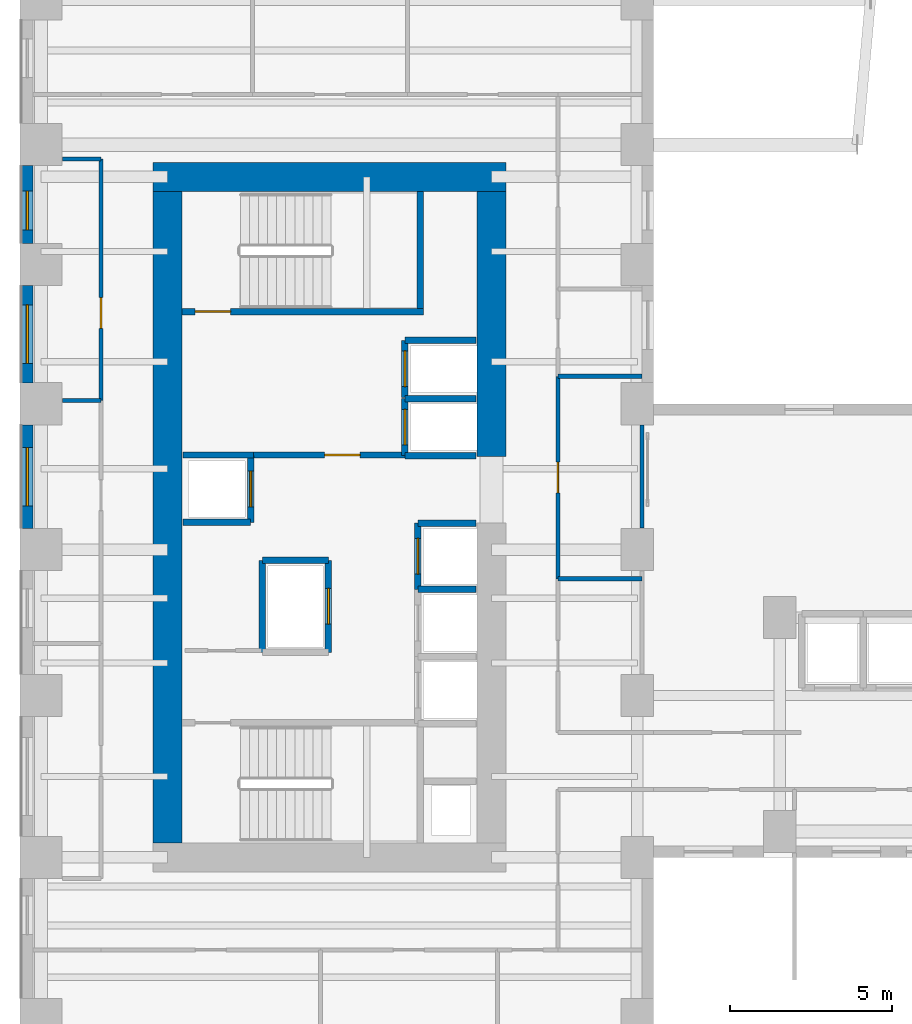
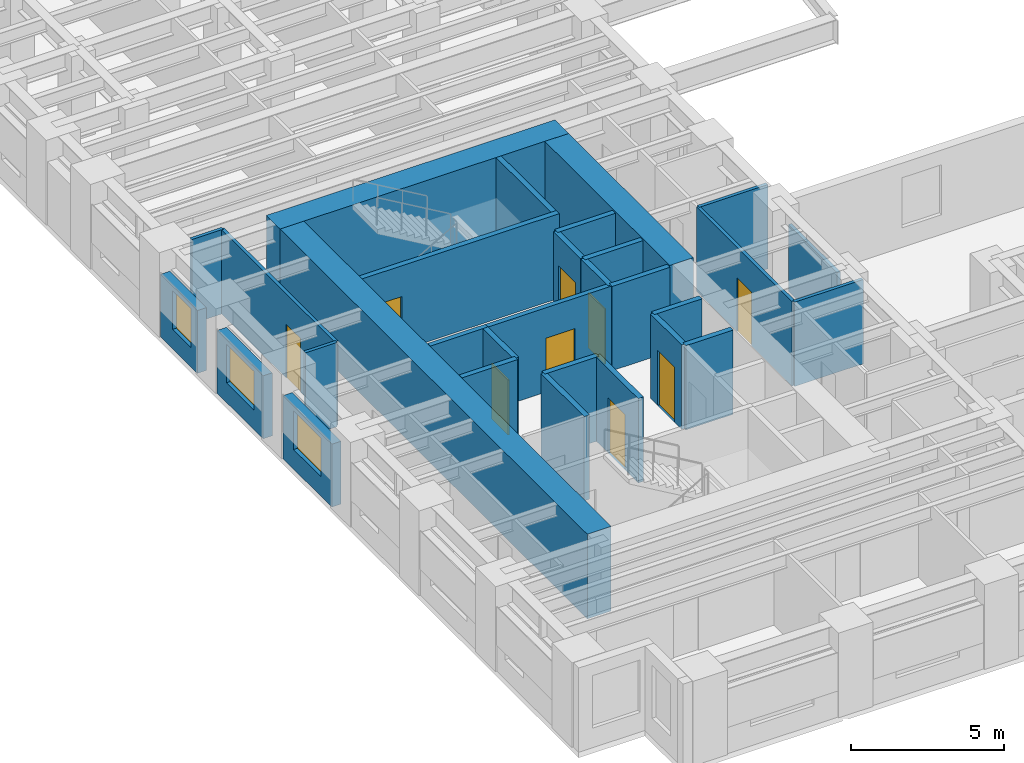
# One storey, part 8 of 14: 30 walls, 9 doors, 3 windows, 12 openings.
"""IFC4 building model written with IfcOpenShell, lengths in metres."""

from ifc_helpers import new_model, si_unit, direction, frame, frame_2d, origin, place, context, subcontext, project, spatial, rectangle, extrude, source, transform, mapped, material, layer, layer_set, type_object, element, fill, save


model = new_model("IFC4")

# Units and contexts
model_context = context("Model", 3, precision=1e-05, world=origin(), true_north=direction((0.0, 1.0)))
body_context = subcontext(model_context, "Body", "Model", "MODEL_VIEW")
ifc_project = project(units=[si_unit("LENGTHUNIT", "METRE"), si_unit("AREAUNIT", "SQUARE_METRE"), si_unit("VOLUMEUNIT", "CUBIC_METRE"), si_unit("PLANEANGLEUNIT", "RADIAN"), si_unit("MASSUNIT", "GRAM", prefix="KILO")], contexts=[model_context])

# Site, building, storey
site_placement = place(None, origin())
site = spatial("IfcSite", under=ifc_project, at=site_placement, CompositionType="ELEMENT")
building_placement = place(site_placement, origin())
building = spatial("IfcBuilding", under=site, at=building_placement, Name="Kharzan Plaza Tower", CompositionType="ELEMENT")
storey_placement = place(building_placement, frame((0.0, 0.0, 36.89990234375)))
storey = spatial("IfcBuildingStorey", under=building, at=storey_placement, Name="L09", CompositionType="ELEMENT", Elevation=36.89990234375)

# Wall, opening, window
ifc_material_1 = material(Name="Concrete C40/50", Category="concrete")
ifc_layer_1 = layer(ifc_material_1, 0.35009765625)
ifc_layer_set_1 = layer_set([ifc_layer_1], Name="Concrete C40/50")
wall_type_1 = type_object("IfcWallType", Name="WL-EXT-MAS-Z1", PredefinedType="SOLIDWALL", material=ifc_layer_set_1)
wall_1_placement = place(storey_placement, frame((0.175048828125, 29.85205078125, 0.0), z_axis=(0.0, 0.0, 1.0), x_axis=(0.0, -1.0, 0.0)))
wall_1 = element("IfcWall", 1, at=wall_1_placement, inside=storey, type_object=wall_type_1, Name="L09 Masonry-Frame Exterior Wall 14", PredefinedType="SOLIDWALL", context=body_context, shape_type="SweptSolid", body=[
    extrude(rectangle(XDim=2.404052734375, YDim=0.35009765625, at=frame_2d((1.2021484375, 0.0))), origin(), (0.0, 0.0, 1.0), 2.510009765625),
])
opening_1_placement = place(wall_1_placement, frame((0.786865234375, 0.0, 0.780029296875)))
opening_1 = element("IfcOpeningElement", 2, at=opening_1_placement, cuts=wall_1, Name="Opening W3", PredefinedType="OPENING", context=body_context, shape_type="SweptSolid", body=[
    extrude(rectangle(XDim=1.199951171875, YDim=1.550048828125, at=frame_2d((0.60009765625, 0.77490234375))), frame((0.0, 0.18505859375, 0.0), z_axis=(0.0, -1.0, 0.0), x_axis=(1.0, 0.0, 0.0)), (0.0, 0.0, 1.0), 0.3701171875),
])
ifc_material_2 = material(Name="Low-E Double Glazing", Category="glass")
window_type_1 = type_object("IfcWindowType", Name="WN-REC-1200x2100", PartitioningType="SINGLE_PANEL", PredefinedType="WINDOW", material=ifc_material_2)
shared_shape_1 = source(origin(), body_context, "Body", "SweptSolid", [
    extrude(rectangle(XDim=1.199951171875, YDim=1.550048828125, at=frame_2d((0.60009765625, 0.77490234375))), frame((0.0, 0.030029296875, 0.0), z_axis=(0.0, -1.0, 0.0), x_axis=(1.0, 0.0, 0.0)), (0.0, 0.0, 1.0), 0.06005859375),
])
window_1_placement = place(opening_1_placement, origin())
window_1 = element("IfcWindow", 3, at=window_1_placement, inside=storey, type_object=window_type_1, Name="L09 Recessed Solar-Control Window 14-1", OverallHeight=1.550048828125, OverallWidth=1.199951171875, PartitioningType="SINGLE_PANEL", PredefinedType="WINDOW", context=body_context, shape_type="MappedRepresentation", body=[
    mapped(shared_shape_1, transform((0.0, 0.0, 0.0), x_axis=(1.0, 0.0, 0.0), y_axis=(0.0, 1.0, 0.0), z_axis=(0.0, 0.0, 1.0))),
])
fill(opening_1, window_1)

wall_2_placement = place(storey_placement, frame((0.175048828125, 26.152099609375, 0.0), z_axis=(0.0, 0.0, 1.0), x_axis=(0.0, -1.0, 0.0)))
wall_2 = element("IfcWall", 4, at=wall_2_placement, inside=storey, type_object=wall_type_1, Name="L09 Masonry-Frame Exterior Wall 15", PredefinedType="SOLIDWALL", context=body_context, shape_type="SweptSolid", body=[
    extrude(rectangle(XDim=3.004150390625, YDim=0.35009765625, at=frame_2d((1.501953125, 0.0))), origin(), (0.0, 0.0, 1.0), 2.510009765625),
])
opening_2_placement = place(wall_2_placement, frame((0.60205078125, 0.0, 0.780029296875)))
opening_2 = element("IfcOpeningElement", 5, at=opening_2_placement, cuts=wall_2, Name="Opening W1", PredefinedType="OPENING", context=body_context, shape_type="SweptSolid", body=[
    extrude(rectangle(XDim=1.800048828125, YDim=1.550048828125, at=frame_2d((0.89990234375, 0.77490234375))), frame((0.0, 0.18505859375, 0.0), z_axis=(0.0, -1.0, 0.0), x_axis=(1.0, 0.0, 0.0)), (0.0, 0.0, 1.0), 0.3701171875),
])
window_type_2 = type_object("IfcWindowType", Name="WN-REC-1800x2100", PartitioningType="SINGLE_PANEL", PredefinedType="WINDOW", material=ifc_material_2)
shared_shape_2 = source(origin(), body_context, "Body", "SweptSolid", [
    extrude(rectangle(XDim=1.800048828125, YDim=1.550048828125, at=frame_2d((0.89990234375, 0.77490234375))), frame((0.0, 0.030029296875, 0.0), z_axis=(0.0, -1.0, 0.0), x_axis=(1.0, 0.0, 0.0)), (0.0, 0.0, 1.0), 0.06005859375),
])
window_2_placement = place(opening_2_placement, origin())
window_2 = element("IfcWindow", 6, at=window_2_placement, inside=storey, type_object=window_type_2, Name="L09 Recessed Solar-Control Window 15-1", OverallHeight=1.550048828125, OverallWidth=1.800048828125, PartitioningType="SINGLE_PANEL", PredefinedType="WINDOW", context=body_context, shape_type="MappedRepresentation", body=[
    mapped(shared_shape_2, transform((0.0, 0.0, 0.0), x_axis=(1.0, 0.0, 0.0), y_axis=(0.0, 1.0, 0.0), z_axis=(0.0, 0.0, 1.0))),
])
fill(opening_2, window_2)

wall_3_placement = place(storey_placement, frame((0.175048828125, 21.85205078125, 0.0), z_axis=(0.0, 0.0, 1.0), x_axis=(0.0, -1.0, 0.0)))
wall_3 = element("IfcWall", 7, at=wall_3_placement, inside=storey, type_object=wall_type_1, Name="L09 Masonry-Frame Exterior Wall 16", PredefinedType="SOLIDWALL", context=body_context, shape_type="SweptSolid", body=[
    extrude(rectangle(XDim=3.2041015625, YDim=0.35009765625, at=frame_2d((1.60205078125, 0.0))), origin(), (0.0, 0.0, 1.0), 2.510009765625),
])
opening_3_placement = place(wall_3_placement, frame((0.701904296875, 0.0, 0.780029296875)))
opening_3 = element("IfcOpeningElement", 8, at=opening_3_placement, cuts=wall_3, Name="Opening W1", PredefinedType="OPENING", context=body_context, shape_type="SweptSolid", body=[
    extrude(rectangle(XDim=1.800048828125, YDim=1.550048828125, at=frame_2d((0.89990234375, 0.77490234375))), frame((0.0, 0.18505859375, 0.0), z_axis=(0.0, -1.0, 0.0), x_axis=(1.0, 0.0, 0.0)), (0.0, 0.0, 1.0), 0.3701171875),
])
window_3_placement = place(opening_3_placement, origin())
window_3 = element("IfcWindow", 9, at=window_3_placement, inside=storey, type_object=window_type_2, Name="L09 Recessed Solar-Control Window 16-1", OverallHeight=1.550048828125, OverallWidth=1.800048828125, PartitioningType="SINGLE_PANEL", PredefinedType="WINDOW", context=body_context, shape_type="MappedRepresentation", body=[
    mapped(shared_shape_2, transform((0.0, 0.0, 0.0), x_axis=(1.0, 0.0, 0.0), y_axis=(0.0, 1.0, 0.0), z_axis=(0.0, 0.0, 1.0))),
])
fill(opening_3, window_3)

# Wall, opening, door
ifc_layer_2 = layer(ifc_material_1, 0.179931640625)
ifc_layer_set_2 = layer_set([ifc_layer_2], Name="Concrete C40/50")
wall_type_2 = type_object("IfcWallType", Name="WL-INT-FIRE-180", PredefinedType="PARTITIONING", material=ifc_layer_set_2)
wall_4_placement = place(storey_placement, frame((7.14990234375, 20.919921875, 0.0), z_axis=(0.0, 0.0, 1.0), x_axis=(1.0, 0.0, 0.0)))
wall_4 = element("IfcWall", 10, at=wall_4_placement, inside=storey, type_object=wall_type_2, Name="L09 Interior Partition CA-FF-S", PredefinedType="PARTITIONING", context=body_context, shape_type="SweptSolid", body=[
    extrude(rectangle(XDim=4.68017578125, YDim=0.179931640625, at=frame_2d((2.340087890625, 0.0))), origin(), (0.0, 0.0, 1.0), 3.364990234375),
])
opening_4_placement = place(wall_4_placement, frame((2.199951171875, 0.0, 0.0)))
opening_4 = element("IfcOpeningElement", 11, at=opening_4_placement, cuts=wall_4, Name="Opening FD1", PredefinedType="OPENING", context=body_context, shape_type="SweptSolid", body=[
    extrude(rectangle(XDim=1.10009765625, YDim=2.14990234375, at=frame_2d((0.550048828125, 1.074951171875))), frame((0.0, 0.099853515625, 0.0), z_axis=(0.0, -1.0, 0.0), x_axis=(1.0, 0.0, 0.0)), (0.0, 0.0, 1.0), 0.199951171875),
])
ifc_material_3 = material(Name="Fire-Rated Acoustic Vision-Panel Steel", Category="steel")
door_type_1 = type_object("IfcDoorType", Name="DR-FIRE-LOBBY", OperationType="NOTDEFINED", PredefinedType="DOOR", material=ifc_material_3)
shared_shape_3 = source(origin(), body_context, "Body", "SweptSolid", [
    extrude(rectangle(XDim=1.10009765625, YDim=2.14990234375, at=frame_2d((0.550048828125, 1.074951171875))), frame((0.0, 0.02490234375, 0.0), z_axis=(0.0, -1.0, 0.0), x_axis=(1.0, 0.0, 0.0)), (0.0, 0.0, 1.0), 0.050048828125),
])
door_1_placement = place(opening_4_placement, origin())
door_1 = element("IfcDoor", 12, at=door_1_placement, inside=storey, type_object=door_type_1, Name="L09 Firefighting Lobby Door", OperationType="SINGLE_SWING_RIGHT", OverallHeight=2.14990234375, OverallWidth=1.10009765625, PredefinedType="DOOR", context=body_context, shape_type="MappedRepresentation", body=[
    mapped(shared_shape_3, transform((0.0, 0.0, 0.0), x_axis=(1.0, 0.0, 0.0), y_axis=(0.0, 1.0, 0.0), z_axis=(0.0, 0.0, 1.0))),
])
fill(opening_4, door_1)

ifc_material_4 = material(Name="Fire-Rated Gypsum Board Partition", Category="gypsum")
ifc_layer_3 = layer(ifc_material_4, 0.125)
ifc_layer_set_3 = layer_set([ifc_layer_3], Name="Fire-Rated Gypsum Board Partition")
wall_type_3 = type_object("IfcWallType", Name="WL-INT-PART-125", PredefinedType="PARTITIONING", material=ifc_layer_set_3)
wall_5_placement = place(storey_placement, frame((16.550048828125, 17.10009765625, 0.0), z_axis=(0.0, 0.0, 1.0), x_axis=(0.0, 1.0, 0.0)))
wall_5 = element("IfcWall", 13, at=wall_5_placement, inside=storey, type_object=wall_type_3, Name="L09 Interior Partition SH-AEWN2", PredefinedType="PARTITIONING", context=body_context, shape_type="SweptSolid", body=[
    extrude(rectangle(XDim=6.25, YDim=0.125, at=frame_2d((3.125, 0.0))), origin(), (0.0, 0.0, 1.0), 3.364990234375),
])
opening_5_placement = place(wall_5_placement, frame((2.64990234375, 0.0, 0.0)))
opening_5 = element("IfcOpeningElement", 14, at=opening_5_placement, cuts=wall_5, Name="Opening OD1", PredefinedType="OPENING", context=body_context, shape_type="SweptSolid", body=[
    extrude(rectangle(XDim=0.949951171875, YDim=2.14990234375, at=frame_2d((0.47509765625, 1.074951171875))), frame((0.0, 0.072509765625, 0.0), z_axis=(0.0, -1.0, 0.0), x_axis=(1.0, 0.0, 0.0)), (0.0, 0.0, 1.0), 0.14501953125),
])
ifc_material_5 = material(Name="Acoustic Solid-Core Stained Oak", Category="timber")
door_type_2 = type_object("IfcDoorType", Name="DR-OFF-SINGLE", OperationType="NOTDEFINED", PredefinedType="DOOR", material=ifc_material_5)
shared_shape_4 = source(origin(), body_context, "Body", "SweptSolid", [
    extrude(rectangle(XDim=0.949951171875, YDim=2.14990234375, at=frame_2d((0.47509765625, 1.074951171875))), frame((0.0, 0.02490234375, 0.0), z_axis=(0.0, -1.0, 0.0), x_axis=(1.0, 0.0, 0.0)), (0.0, 0.0, 1.0), 0.050048828125),
])
door_2_placement = place(opening_5_placement, origin())
door_2 = element("IfcDoor", 15, at=door_2_placement, inside=storey, type_object=door_type_2, Name="L09 Slot Studio Door", OperationType="SINGLE_SWING_RIGHT", OverallHeight=2.14990234375, OverallWidth=0.949951171875, PredefinedType="DOOR", context=body_context, shape_type="MappedRepresentation", body=[
    mapped(shared_shape_4, transform((0.0, 0.0, 0.0), x_axis=(1.0, 0.0, 0.0), y_axis=(0.0, 1.0, 0.0), z_axis=(0.0, 0.0, 1.0))),
])
fill(opening_5, door_2)

wall_6_placement = place(storey_placement, frame((2.449951171875, 22.60009765625, 0.0), z_axis=(0.0, 0.0, 1.0), x_axis=(0.0, 1.0, 0.0)))
wall_6 = element("IfcWall", 16, at=wall_6_placement, inside=storey, type_object=wall_type_3, Name="L09 Interior Partition SH-WW-3", PredefinedType="PARTITIONING", context=body_context, shape_type="SweptSolid", body=[
    extrude(rectangle(XDim=7.449951171875, YDim=0.125, at=frame_2d((3.72509765625, 0.0))), origin(), (0.0, 0.0, 1.0), 3.364990234375),
])
opening_6_placement = place(wall_6_placement, frame((2.226806640625, 0.0, 0.0)))
opening_6 = element("IfcOpeningElement", 17, at=opening_6_placement, cuts=wall_6, Name="Opening OD1", PredefinedType="OPENING", context=body_context, shape_type="SweptSolid", body=[
    extrude(rectangle(XDim=0.949951171875, YDim=2.14990234375, at=frame_2d((0.47509765625, 1.074951171875))), frame((0.0, 0.072509765625, 0.0), z_axis=(0.0, -1.0, 0.0), x_axis=(1.0, 0.0, 0.0)), (0.0, 0.0, 1.0), 0.14501953125),
])
door_3_placement = place(opening_6_placement, origin())
door_3 = element("IfcDoor", 18, at=door_3_placement, inside=storey, type_object=door_type_2, Name="L09 Research Engineering Office Door", OperationType="SINGLE_SWING_LEFT", OverallHeight=2.14990234375, OverallWidth=0.949951171875, PredefinedType="DOOR", context=body_context, shape_type="MappedRepresentation", body=[
    mapped(shared_shape_4, transform((0.0, 0.0, 0.0), x_axis=(1.0, 0.0, 0.0), y_axis=(0.0, 1.0, 0.0), z_axis=(0.0, 0.0, 1.0))),
])
fill(opening_6, door_3)

ifc_layer_4 = layer(ifc_material_1, 0.199951171875)
ifc_layer_set_4 = layer_set([ifc_layer_4], Name="Concrete C40/50")
wall_type_4 = type_object("IfcWallType", Name="WL-INT-SHAFT-200", PredefinedType="PARTITIONING", material=ifc_layer_set_4)
wall_7_placement = place(storey_placement, frame((11.830078125, 20.89990234375, 0.0), z_axis=(0.0, 0.0, 1.0), x_axis=(0.0, 1.0, 0.0)))
wall_7 = element("IfcWall", 19, at=wall_7_placement, inside=storey, type_object=wall_type_4, Name="L09 Interior Partition SHF-FFL-1-W", PredefinedType="PARTITIONING", context=body_context, shape_type="SweptSolid", body=[
    extrude(rectangle(XDim=1.760009765625, YDim=0.199951171875, at=frame_2d((0.8798828125, 0.0))), origin(), (0.0, 0.0, 1.0), 3.364990234375),
])
opening_7_placement = place(wall_7_placement, frame((0.330078125, 0.0, 0.0)))
opening_7 = element("IfcOpeningElement", 20, at=opening_7_placement, cuts=wall_7, Name="Opening LD", PredefinedType="OPENING", context=body_context, shape_type="SweptSolid", body=[
    extrude(rectangle(XDim=1.10009765625, YDim=2.199951171875, at=frame_2d((0.550048828125, 1.10009765625))), frame((0.0, 0.10986328125, 0.0), z_axis=(0.0, -1.0, 0.0), x_axis=(1.0, 0.0, 0.0)), (0.0, 0.0, 1.0), 0.219970703125),
])
ifc_material_6 = material(Name="Brushed Stainless Steel", Category="steel")
door_type_3 = type_object("IfcDoorType", Name="DR-LIFT-SLIDE", OperationType="SLIDING_TO_LEFT", PredefinedType="DOOR", material=ifc_material_6)
shared_shape_5 = source(origin(), body_context, "Body", "SweptSolid", [
    extrude(rectangle(XDim=1.10009765625, YDim=2.199951171875, at=frame_2d((0.550048828125, 1.10009765625))), frame((0.0, 0.02490234375, 0.0), z_axis=(0.0, -1.0, 0.0), x_axis=(1.0, 0.0, 0.0)), (0.0, 0.0, 1.0), 0.050048828125),
])
door_4_placement = place(opening_7_placement, origin())
door_4 = element("IfcDoor", 21, at=door_4_placement, inside=storey, type_object=door_type_3, Name="L09 Firefighting Lift FFL-1 Sliding Landing Door", OperationType="SLIDING_TO_LEFT", OverallHeight=2.199951171875, OverallWidth=1.10009765625, PredefinedType="DOOR", context=body_context, shape_type="MappedRepresentation", body=[
    mapped(shared_shape_5, transform((0.0, 0.0, 0.0), x_axis=(1.0, 0.0, 0.0), y_axis=(0.0, 1.0, 0.0), z_axis=(0.0, 0.0, 1.0))),
])
fill(opening_7, door_4)

wall_8_placement = place(storey_placement, frame((11.830078125, 22.699951171875, 0.0), z_axis=(0.0, 0.0, 1.0), x_axis=(0.0, 1.0, 0.0)))
wall_8 = element("IfcWall", 22, at=wall_8_placement, inside=storey, type_object=wall_type_4, Name="L09 Interior Partition SHF-FFL-2-W", PredefinedType="PARTITIONING", context=body_context, shape_type="SweptSolid", body=[
    extrude(rectangle(XDim=1.760009765625, YDim=0.199951171875, at=frame_2d((0.8798828125, 0.0))), origin(), (0.0, 0.0, 1.0), 3.364990234375),
])
opening_8_placement = place(wall_8_placement, frame((0.330078125, 0.0, 0.0)))
opening_8 = element("IfcOpeningElement", 23, at=opening_8_placement, cuts=wall_8, Name="Opening LD", PredefinedType="OPENING", context=body_context, shape_type="SweptSolid", body=[
    extrude(rectangle(XDim=1.10009765625, YDim=2.199951171875, at=frame_2d((0.550048828125, 1.10009765625))), frame((0.0, 0.10986328125, 0.0), z_axis=(0.0, -1.0, 0.0), x_axis=(1.0, 0.0, 0.0)), (0.0, 0.0, 1.0), 0.219970703125),
])
door_5_placement = place(opening_8_placement, origin())
door_5 = element("IfcDoor", 24, at=door_5_placement, inside=storey, type_object=door_type_3, Name="L09 Firefighting Lift FFL-2 Sliding Landing Door", OperationType="SLIDING_TO_LEFT", OverallHeight=2.199951171875, OverallWidth=1.10009765625, PredefinedType="DOOR", context=body_context, shape_type="MappedRepresentation", body=[
    mapped(shared_shape_5, transform((0.0, 0.0, 0.0), x_axis=(1.0, 0.0, 0.0), y_axis=(0.0, 1.0, 0.0), z_axis=(0.0, 0.0, 1.0))),
])
fill(opening_8, door_5)

wall_9_placement = place(storey_placement, frame((12.22998046875, 16.77001953125, 0.0), z_axis=(0.0, 0.0, 1.0), x_axis=(0.0, 1.0, 0.0)))
wall_9 = element("IfcWall", 25, at=wall_9_placement, inside=storey, type_object=wall_type_4, Name="L09 Interior Partition SHF-PL-H3-W", PredefinedType="PARTITIONING", context=body_context, shape_type="SweptSolid", body=[
    extrude(rectangle(XDim=2.050048828125, YDim=0.199951171875, at=frame_2d((1.02490234375, 0.0))), origin(), (0.0, 0.0, 1.0), 3.364990234375),
])
opening_9_placement = place(wall_9_placement, frame((0.47509765625, 0.0, 0.0)))
opening_9 = element("IfcOpeningElement", 26, at=opening_9_placement, cuts=wall_9, Name="Opening LD", PredefinedType="OPENING", context=body_context, shape_type="SweptSolid", body=[
    extrude(rectangle(XDim=1.10009765625, YDim=2.199951171875, at=frame_2d((0.550048828125, 1.10009765625))), frame((0.0, 0.10986328125, 0.0), z_axis=(0.0, -1.0, 0.0), x_axis=(1.0, 0.0, 0.0)), (0.0, 0.0, 1.0), 0.219970703125),
])
door_6_placement = place(opening_9_placement, origin())
door_6 = element("IfcDoor", 27, at=door_6_placement, inside=storey, type_object=door_type_3, Name="L09 High-Rise Passenger Lift PL-H3 Sliding Landing Door", OperationType="SLIDING_TO_LEFT", OverallHeight=2.199951171875, OverallWidth=1.10009765625, PredefinedType="DOOR", context=body_context, shape_type="MappedRepresentation", body=[
    mapped(shared_shape_5, transform((0.0, 0.0, 0.0), x_axis=(1.0, 0.0, 0.0), y_axis=(0.0, 1.0, 0.0), z_axis=(0.0, 0.0, 1.0))),
])
fill(opening_9, door_6)

wall_10_placement = place(storey_placement, frame((7.070068359375, 18.840087890625, 0.0), z_axis=(0.0, 0.0, 1.0), x_axis=(0.0, 1.0, 0.0)))
wall_10 = element("IfcWall", 28, at=wall_10_placement, inside=storey, type_object=wall_type_4, Name="L09 Interior Partition SHF-PL-H4-E", PredefinedType="PARTITIONING", context=body_context, shape_type="SweptSolid", body=[
    extrude(rectangle(XDim=2.059814453125, YDim=0.199951171875, at=frame_2d((1.02978515625, 0.0))), origin(), (0.0, 0.0, 1.0), 3.364990234375),
])
opening_10_placement = place(wall_10_placement, frame((0.47998046875, 0.0, 0.0)))
opening_10 = element("IfcOpeningElement", 29, at=opening_10_placement, cuts=wall_10, Name="Opening LD", PredefinedType="OPENING", context=body_context, shape_type="SweptSolid", body=[
    extrude(rectangle(XDim=1.10009765625, YDim=2.199951171875, at=frame_2d((0.550048828125, 1.10009765625))), frame((0.0, 0.10986328125, 0.0), z_axis=(0.0, -1.0, 0.0), x_axis=(1.0, 0.0, 0.0)), (0.0, 0.0, 1.0), 0.219970703125),
])
door_7_placement = place(opening_10_placement, origin())
door_7 = element("IfcDoor", 30, at=door_7_placement, inside=storey, type_object=door_type_3, Name="L09 High-Rise Passenger Lift PL-H4 Sliding Landing Door", OperationType="SLIDING_TO_LEFT", OverallHeight=2.199951171875, OverallWidth=1.10009765625, PredefinedType="DOOR", context=body_context, shape_type="MappedRepresentation", body=[
    mapped(shared_shape_5, transform((0.0, 0.0, 0.0), x_axis=(1.0, 0.0, 0.0), y_axis=(0.0, 1.0, 0.0), z_axis=(0.0, 0.0, 1.0))),
])
fill(opening_10, door_7)

wall_11_placement = place(storey_placement, frame((9.469970703125, 14.830078125, 0.0), z_axis=(0.0, 0.0, 1.0), x_axis=(0.0, 1.0, 0.0)))
wall_11 = element("IfcWall", 31, at=wall_11_placement, inside=storey, type_object=wall_type_4, Name="L09 Interior Partition SHF-SVL-1-E", PredefinedType="PARTITIONING", context=body_context, shape_type="SweptSolid", body=[
    extrude(rectangle(XDim=2.83984375, YDim=0.199951171875, at=frame_2d((1.419921875, 0.0))), origin(), (0.0, 0.0, 1.0), 3.364990234375),
])
opening_11_placement = place(wall_11_placement, frame((0.8701171875, 0.0, 0.0)))
opening_11 = element("IfcOpeningElement", 32, at=opening_11_placement, cuts=wall_11, Name="Opening LD", PredefinedType="OPENING", context=body_context, shape_type="SweptSolid", body=[
    extrude(rectangle(XDim=1.10009765625, YDim=2.199951171875, at=frame_2d((0.550048828125, 1.10009765625))), frame((0.0, 0.10986328125, 0.0), z_axis=(0.0, -1.0, 0.0), x_axis=(1.0, 0.0, 0.0)), (0.0, 0.0, 1.0), 0.219970703125),
])
door_8_placement = place(opening_11_placement, origin())
door_8 = element("IfcDoor", 33, at=door_8_placement, inside=storey, type_object=door_type_3, Name="L09 Service Lift SVL-1 Sliding Landing Door", OperationType="SLIDING_TO_LEFT", OverallHeight=2.199951171875, OverallWidth=1.10009765625, PredefinedType="DOOR", context=body_context, shape_type="MappedRepresentation", body=[
    mapped(shared_shape_5, transform((0.0, 0.0, 0.0), x_axis=(1.0, 0.0, 0.0), y_axis=(0.0, 1.0, 0.0), z_axis=(0.0, 0.0, 1.0))),
])
fill(opening_11, door_8)

ifc_material_7 = material(Name="Concrete C50/60", Category="concrete")
ifc_layer_5 = layer(ifc_material_7, 0.199951171875)
ifc_layer_set_5 = layer_set([ifc_layer_5], Name="Concrete C50/60")
wall_type_5 = type_object("IfcWallType", Name="WL-SHAFT-RC200", PredefinedType="SHEAR", material=ifc_layer_set_5)
wall_12_placement = place(storey_placement, frame((4.951904296875, 25.344970703125, 0.0), z_axis=(0.0, 0.0, 1.0), x_axis=(1.0, 0.0, 0.0)))
wall_12 = element("IfcWall", 34, at=wall_12_placement, inside=storey, type_object=wall_type_5, Name="L09 Stair ST-2 South RC Shaft Wall", PredefinedType="SHEAR", context=body_context, shape_type="SweptSolid", body=[
    extrude(rectangle(XDim=7.453125, YDim=0.199951171875, at=frame_2d((3.7265625, 0.0))), origin(), (0.0, 0.0, 1.0), 3.380126953125),
])
opening_12_placement = place(wall_12_placement, frame((0.39990234375, 0.0, 0.0)))
opening_12 = element("IfcOpeningElement", 35, at=opening_12_placement, cuts=wall_12, Name="Opening SD1", PredefinedType="OPENING", context=body_context, shape_type="SweptSolid", body=[
    extrude(rectangle(XDim=1.10009765625, YDim=2.14990234375, at=frame_2d((0.550048828125, 1.074951171875))), frame((0.0, 0.10986328125, 0.0), z_axis=(0.0, -1.0, 0.0), x_axis=(1.0, 0.0, 0.0)), (0.0, 0.0, 1.0), 0.219970703125),
])
ifc_material_8 = material(Name="Fire-Rated Hollow Galvanized Steel", Category="steel")
door_type_4 = type_object("IfcDoorType", Name="DR-STAIR-FD120", OperationType="NOTDEFINED", PredefinedType="DOOR", material=ifc_material_8)
shared_shape_6 = source(origin(), body_context, "Body", "SweptSolid", [
    extrude(rectangle(XDim=1.10009765625, YDim=2.14990234375, at=frame_2d((0.550048828125, 1.074951171875))), frame((0.0, 0.02490234375, 0.0), z_axis=(0.0, -1.0, 0.0), x_axis=(1.0, 0.0, 0.0)), (0.0, 0.0, 1.0), 0.050048828125),
])
door_9_placement = place(opening_12_placement, origin())
door_9 = element("IfcDoor", 36, at=door_9_placement, inside=storey, type_object=door_type_4, Name="L09 Stair ST-2 Fire Exit Door", OperationType="SINGLE_SWING_LEFT", OverallHeight=2.14990234375, OverallWidth=1.10009765625, PredefinedType="DOOR", context=body_context, shape_type="MappedRepresentation", body=[
    mapped(shared_shape_6, transform((0.0, 0.0, 0.0), x_axis=(1.0, 0.0, 0.0), y_axis=(0.0, 1.0, 0.0), z_axis=(0.0, 0.0, 1.0))),
])
fill(opening_12, door_9)

# Walls
shared_shape_7 = source(origin(), body_context, "Body", "SweptSolid", [
    extrude(rectangle(XDim=2.169921875, YDim=0.179931640625, at=frame_2d((1.0849609375, 0.0))), origin(), (0.0, 0.0, 1.0), 3.364990234375),
])
wall_13_placement = place(storey_placement, frame((4.97998046875, 20.919921875, 0.0), z_axis=(0.0, 0.0, 1.0), x_axis=(1.0, 0.0, 0.0)))
element("IfcWall", 37, at=wall_13_placement, inside=storey, type_object=wall_type_2, Name="L09 Interior Partition CA-FF-SW", PredefinedType="PARTITIONING", context=body_context, shape_type="MappedRepresentation", body=[
    mapped(shared_shape_7, transform((0.0, 0.0, 0.0), x_axis=(1.0, 0.0, 0.0), y_axis=(0.0, 1.0, 0.0), z_axis=(0.0, 0.0, 1.0))),
])
shared_shape_8 = source(origin(), body_context, "Body", "SweptSolid", [
    extrude(rectangle(XDim=2.597900390625, YDim=0.125, at=frame_2d((1.298828125, 0.0))), origin(), (0.0, 0.0, 1.0), 3.364990234375),
])
wall_14_placement = place(storey_placement, frame((16.550048828125, 23.35009765625, 0.0), z_axis=(0.0, 0.0, 1.0), x_axis=(1.0, 0.0, 0.0)))
element("IfcWall", 38, at=wall_14_placement, inside=storey, type_object=wall_type_3, Name="L09 Interior Partition SH-AEH-233", PredefinedType="PARTITIONING", context=body_context, shape_type="MappedRepresentation", body=[
    mapped(shared_shape_8, transform((0.0, 0.0, 0.0), x_axis=(1.0, 0.0, 0.0), y_axis=(0.0, 1.0, 0.0), z_axis=(0.0, 0.0, 1.0))),
])
shared_shape_9 = source(origin(), body_context, "Body", "SweptSolid", [
    extrude(rectangle(XDim=1.18994140625, YDim=0.125, at=frame_2d((0.594970703125, 0.0))), origin(), (0.0, 0.0, 1.0), 3.364990234375),
])
for number, where, z_axis, x_axis, name in (
    (39, (1.260009765625, 30.050048828125, 0.0), (0.0, 0.0, 1.0), (1.0, 0.0, 0.0), "L09 Interior Partition SH-RWN0"),
    (40, (1.260009765625, 22.60009765625, 0.0), (0.0, 0.0, 1.0), (1.0, 0.0, 0.0), "L09 Interior Partition SH-WH-2"),
):
    element("IfcWall", number, at=place(storey_placement, frame(where, z_axis=z_axis, x_axis=x_axis)), inside=storey, type_object=wall_type_3, Name=name, PredefinedType="PARTITIONING", context=body_context, shape_type="MappedRepresentation", body=[
        mapped(shared_shape_9, transform((0.0, 0.0, 0.0), x_axis=(1.0, 0.0, 0.0), y_axis=(0.0, 1.0, 0.0), z_axis=(0.0, 0.0, 1.0))),
    ])
shared_shape_10 = source(origin(), body_context, "Body", "SweptSolid", [
    extrude(rectangle(XDim=2.18994140625, YDim=0.199951171875, at=frame_2d((1.094970703125, 0.0))), origin(), (0.0, 0.0, 1.0), 3.364990234375),
])
for number, where, z_axis, x_axis, name in (
    (41, (11.830078125, 22.659912109375, 0.0), (0.0, 0.0, 1.0), (1.0, 0.0, 0.0), "L09 Interior Partition SHF-FFL-1-N"),
    (42, (11.830078125, 20.89990234375, 0.0), (0.0, 0.0, 1.0), (1.0, 0.0, 0.0), "L09 Interior Partition SHF-FFL-1-S"),
    (43, (11.830078125, 24.4599609375, 0.0), (0.0, 0.0, 1.0), (1.0, 0.0, 0.0), "L09 Interior Partition SHF-FFL-2-N"),
):
    element("IfcWall", number, at=place(storey_placement, frame(where, z_axis=z_axis, x_axis=x_axis)), inside=storey, type_object=wall_type_4, Name=name, PredefinedType="PARTITIONING", context=body_context, shape_type="MappedRepresentation", body=[
        mapped(shared_shape_10, transform((0.0, 0.0, 0.0), x_axis=(1.0, 0.0, 0.0), y_axis=(0.0, 1.0, 0.0), z_axis=(0.0, 0.0, 1.0))),
    ])
shared_shape_11 = source(origin(), body_context, "Body", "SweptSolid", [
    extrude(rectangle(XDim=1.7900390625, YDim=0.199951171875, at=frame_2d((0.89501953125, 0.0))), origin(), (0.0, 0.0, 1.0), 3.364990234375),
])
for number, where, z_axis, x_axis, name in (
    (44, (12.22998046875, 16.77001953125, 0.0), (0.0, 0.0, 1.0), (1.0, 0.0, 0.0), "L09 Interior Partition SHF-PL-H2-N"),
    (45, (12.22998046875, 18.820068359375, 0.0), (0.0, 0.0, 1.0), (1.0, 0.0, 0.0), "L09 Interior Partition SHF-PL-H3-N"),
):
    element("IfcWall", number, at=place(storey_placement, frame(where, z_axis=z_axis, x_axis=x_axis)), inside=storey, type_object=wall_type_4, Name=name, PredefinedType="PARTITIONING", context=body_context, shape_type="MappedRepresentation", body=[
        mapped(shared_shape_11, transform((0.0, 0.0, 0.0), x_axis=(1.0, 0.0, 0.0), y_axis=(0.0, 1.0, 0.0), z_axis=(0.0, 0.0, 1.0))),
    ])
shared_shape_12 = source(origin(), body_context, "Body", "SweptSolid", [
    extrude(rectangle(XDim=2.090087890625, YDim=0.199951171875, at=frame_2d((1.044921875, 0.0))), origin(), (0.0, 0.0, 1.0), 3.364990234375),
])
wall_15_placement = place(storey_placement, frame((4.97998046875, 18.840087890625, 0.0), z_axis=(0.0, 0.0, 1.0), x_axis=(1.0, 0.0, 0.0)))
element("IfcWall", 46, at=wall_15_placement, inside=storey, type_object=wall_type_4, Name="L09 Interior Partition SHF-PL-H4-S", PredefinedType="PARTITIONING", context=body_context, shape_type="MappedRepresentation", body=[
    mapped(shared_shape_12, transform((0.0, 0.0, 0.0), x_axis=(1.0, 0.0, 0.0), y_axis=(0.0, 1.0, 0.0), z_axis=(0.0, 0.0, 1.0))),
])
shared_shape_13 = source(origin(), body_context, "Body", "SweptSolid", [
    extrude(rectangle(XDim=2.0400390625, YDim=0.199951171875, at=frame_2d((1.02001953125, 0.0))), origin(), (0.0, 0.0, 1.0), 3.364990234375),
])
wall_16_placement = place(storey_placement, frame((7.429931640625, 17.669921875, 0.0), z_axis=(0.0, 0.0, 1.0), x_axis=(1.0, 0.0, 0.0)))
element("IfcWall", 47, at=wall_16_placement, inside=storey, type_object=wall_type_4, Name="L09 Interior Partition SHF-SVL-1-N", PredefinedType="PARTITIONING", context=body_context, shape_type="MappedRepresentation", body=[
    mapped(shared_shape_13, transform((0.0, 0.0, 0.0), x_axis=(1.0, 0.0, 0.0), y_axis=(0.0, 1.0, 0.0), z_axis=(0.0, 0.0, 1.0))),
])
shared_shape_14 = source(origin(), body_context, "Body", "SweptSolid", [
    extrude(rectangle(XDim=2.83984375, YDim=0.199951171875, at=frame_2d((1.419921875, 0.0))), origin(), (0.0, 0.0, 1.0), 3.364990234375),
])
wall_17_placement = place(storey_placement, frame((7.429931640625, 14.830078125, 0.0), z_axis=(0.0, 0.0, 1.0), x_axis=(0.0, 1.0, 0.0)))
element("IfcWall", 48, at=wall_17_placement, inside=storey, type_object=wall_type_4, Name="L09 Interior Partition SHF-SVL-1-W", PredefinedType="PARTITIONING", context=body_context, shape_type="MappedRepresentation", body=[
    mapped(shared_shape_14, transform((0.0, 0.0, 0.0), x_axis=(1.0, 0.0, 0.0), y_axis=(0.0, 1.0, 0.0), z_axis=(0.0, 0.0, 1.0))),
])
ifc_material_9 = material(Name="Concrete C60/75", Category="concrete")
ifc_layer_6 = layer(ifc_material_9, 0.89990234375)
ifc_layer_set_6 = layer_set([ifc_layer_6], Name="Concrete C60/75")
wall_type_6 = type_object("IfcWallType", Name="WL-CORE-900", PredefinedType="SHEAR", material=ifc_layer_set_6)
shared_shape_15 = source(origin(), body_context, "Body", "SweptSolid", [
    extrude(rectangle(XDim=8.170166015625, YDim=0.89990234375, at=frame_2d((4.0849609375, 0.0))), origin(), (0.0, 0.0, 1.0), 3.380126953125),
])
wall_18_placement = place(storey_placement, frame((14.5, 20.8798828125, 0.0), z_axis=(0.0, 0.0, 1.0), x_axis=(0.0, 1.0, 0.0)))
element("IfcWall", 49, at=wall_18_placement, inside=storey, type_object=wall_type_6, Name="L09 CORE-A east shear pier 2", PredefinedType="SHEAR", context=body_context, shape_type="MappedRepresentation", body=[
    mapped(shared_shape_15, transform((0.0, 0.0, 0.0), x_axis=(1.0, 0.0, 0.0), y_axis=(0.0, 1.0, 0.0), z_axis=(0.0, 0.0, 1.0))),
])
shared_shape_16 = source(origin(), body_context, "Body", "SweptSolid", [
    extrude(rectangle(XDim=10.89990234375, YDim=0.89990234375, at=frame_2d((5.449951171875, 0.0))), origin(), (0.0, 0.0, 1.0), 3.380126953125),
])
wall_19_placement = place(storey_placement, frame((4.050048828125, 29.5, 0.0), z_axis=(0.0, 0.0, 1.0), x_axis=(1.0, 0.0, 0.0)))
element("IfcWall", 50, at=wall_19_placement, inside=storey, type_object=wall_type_6, Name="L09 CORE-A north RC shear wall", PredefinedType="SHEAR", context=body_context, shape_type="MappedRepresentation", body=[
    mapped(shared_shape_16, transform((0.0, 0.0, 0.0), x_axis=(1.0, 0.0, 0.0), y_axis=(0.0, 1.0, 0.0), z_axis=(0.0, 0.0, 1.0))),
])
shared_shape_17 = source(origin(), body_context, "Body", "SweptSolid", [
    extrude(rectangle(XDim=20.10009765625, YDim=0.89990234375, at=frame_2d((10.050048828125, 0.0))), origin(), (0.0, 0.0, 1.0), 3.380126953125),
])
wall_20_placement = place(storey_placement, frame((4.5, 8.949951171875, 0.0), z_axis=(0.0, 0.0, 1.0), x_axis=(0.0, 1.0, 0.0)))
element("IfcWall", 51, at=wall_20_placement, inside=storey, type_object=wall_type_6, Name="L09 CORE-A west RC shear wall", PredefinedType="SHEAR", context=body_context, shape_type="MappedRepresentation", body=[
    mapped(shared_shape_17, transform((0.0, 0.0, 0.0), x_axis=(1.0, 0.0, 0.0), y_axis=(0.0, 1.0, 0.0), z_axis=(0.0, 0.0, 1.0))),
])
shared_shape_18 = source(origin(), body_context, "Body", "SweptSolid", [
    extrude(rectangle(XDim=2.599853515625, YDim=0.125, at=frame_2d((1.2998046875, 0.0))), origin(), (0.0, 0.0, 1.0), 3.364990234375),
])
wall_21_placement = place(storey_placement, frame((16.550048828125, 17.10009765625, 0.0), z_axis=(0.0, 0.0, 1.0), x_axis=(1.0, 0.0, 0.0)))
element("IfcWall", 52, at=wall_21_placement, inside=storey, type_object=wall_type_3, Name="L09 Interior Partition SH-AEH-171", PredefinedType="PARTITIONING", context=body_context, shape_type="MappedRepresentation", body=[
    mapped(shared_shape_18, transform((0.0, 0.0, 0.0), x_axis=(1.0, 0.0, 0.0), y_axis=(0.0, 1.0, 0.0), z_axis=(0.0, 0.0, 1.0))),
])
shared_shape_19 = source(origin(), body_context, "Body", "SweptSolid", [
    extrude(rectangle(XDim=3.18017578125, YDim=0.125, at=frame_2d((1.590087890625, 0.0))), origin(), (0.0, 0.0, 1.0), 2.670166015625),
])
wall_22_placement = place(storey_placement, frame((19.14990234375, 18.659912109375, 0.0), z_axis=(0.0, 0.0, 1.0), x_axis=(0.0, 1.0, 0.0)))
element("IfcWall", 53, at=wall_22_placement, inside=storey, type_object=wall_type_3, Name="L09 Interior Partition SH-AEN-DIV-S2", PredefinedType="PARTITIONING", context=body_context, shape_type="MappedRepresentation", body=[
    mapped(shared_shape_19, transform((0.0, 0.0, 0.0), x_axis=(1.0, 0.0, 0.0), y_axis=(0.0, 1.0, 0.0), z_axis=(0.0, 0.0, 1.0))),
])
shared_shape_20 = source(origin(), body_context, "Body", "SweptSolid", [
    extrude(rectangle(XDim=3.60302734375, YDim=0.199951171875, at=frame_2d((1.801513671875, 0.0))), origin(), (0.0, 0.0, 1.0), 3.380126953125),
])
wall_23_placement = place(storey_placement, frame((12.304931640625, 25.445068359375, 0.0), z_axis=(0.0, 0.0, 1.0), x_axis=(0.0, 1.0, 0.0)))
element("IfcWall", 54, at=wall_23_placement, inside=storey, type_object=wall_type_5, Name="L09 Stair ST-2 East RC Shaft Wall", PredefinedType="SHEAR", context=body_context, shape_type="MappedRepresentation", body=[
    mapped(shared_shape_20, transform((0.0, 0.0, 0.0), x_axis=(1.0, 0.0, 0.0), y_axis=(0.0, 1.0, 0.0), z_axis=(0.0, 0.0, 1.0))),
])

save(model, "model.ifc")
